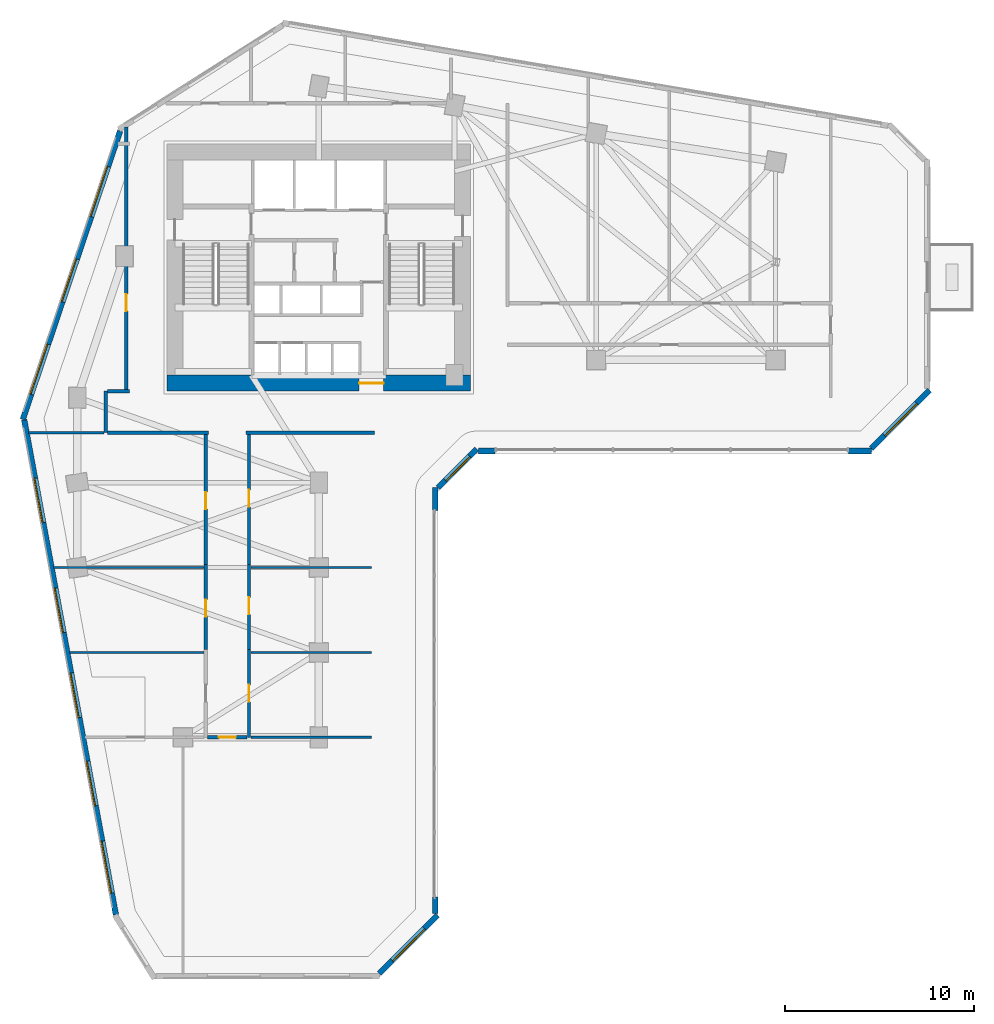
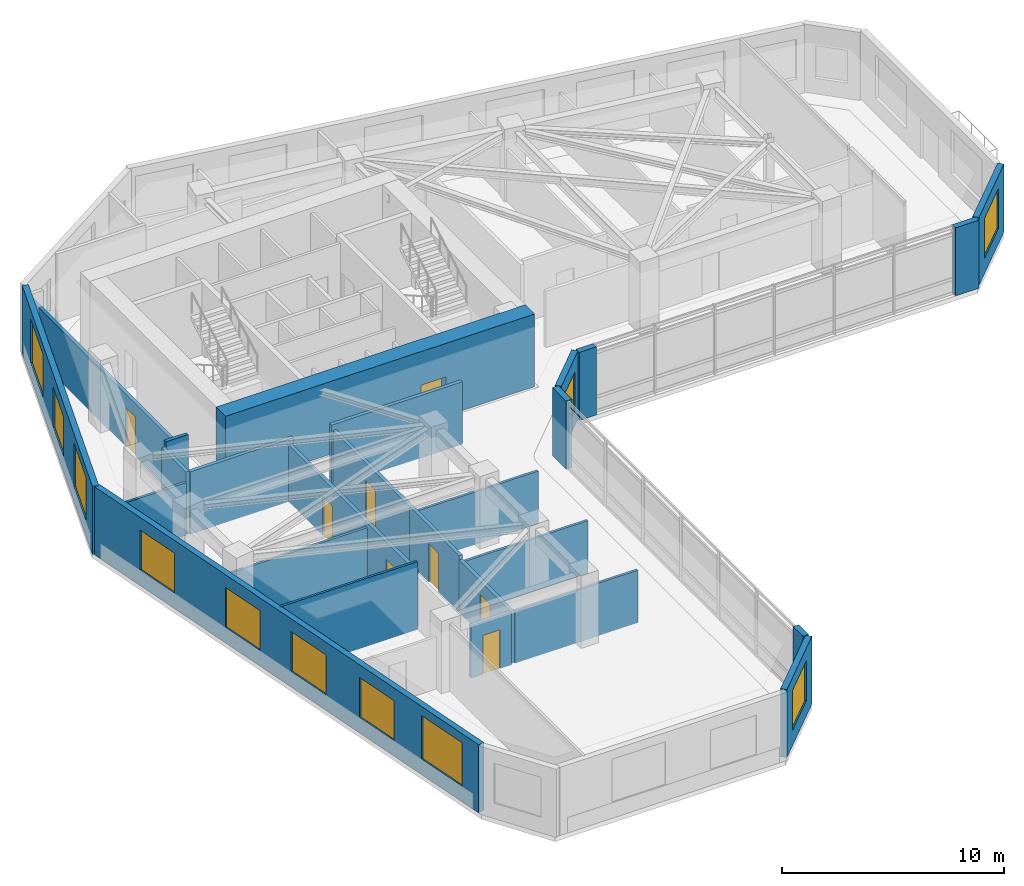
# One storey, part 5 of 11: 27 walls, 11 windows, 8 doors, 19 openings.
"""IFC4 building model written with IfcOpenShell, lengths in metres."""

from ifc_helpers import new_model, si_unit, direction, frame, frame_2d, origin, place, context, subcontext, project, spatial, rectangle, extrude, source, transform, mapped, material, layer, layer_set, type_object, element, fill, save


model = new_model("IFC4")

# Units and contexts
model_context = context("Model", 3, precision=1e-05, world=origin(), true_north=direction((0.0, 1.0)))
body_context = subcontext(model_context, "Body", "Model", "MODEL_VIEW")
ifc_project = project(units=[si_unit("LENGTHUNIT", "METRE"), si_unit("AREAUNIT", "SQUARE_METRE"), si_unit("VOLUMEUNIT", "CUBIC_METRE"), si_unit("PLANEANGLEUNIT", "RADIAN"), si_unit("MASSUNIT", "GRAM", prefix="KILO")], contexts=[model_context])

# Site, building, storey
site_placement = place(None, origin())
site = spatial("IfcSite", under=ifc_project, at=site_placement, CompositionType="ELEMENT")
building_placement = place(site_placement, origin())
building = spatial("IfcBuilding", under=site, at=building_placement, Name="Calvemar Wedge Station Tower", CompositionType="ELEMENT")
storey_placement = place(building_placement, frame((0.0, 0.0, 83.0)))
storey = spatial("IfcBuildingStorey", under=building, at=storey_placement, Name="L20", CompositionType="ELEMENT", Elevation=83.0)

# Wall, opening, door
ifc_material_1 = material(Name="Concrete C80", Category="concrete")
ifc_layer_1 = layer(ifc_material_1, 0.85009765625)
ifc_layer_set_1 = layer_set([ifc_layer_1], Name="Concrete C80")
wall_type_1 = type_object("IfcWallType", Name="SW-CORE-850", PredefinedType="SHEAR", material=ifc_layer_set_1)
wall_1_placement = place(storey_placement, frame((15.75, 33.77490234375, 0.0), z_axis=(0.0, 0.0, 1.0), x_axis=(1.0, 0.0, 0.0)))
wall_1 = element("IfcWall", 1, at=wall_1_placement, inside=storey, type_object=wall_type_1, Name="Storey L20 Core Shear Wall S", PredefinedType="SHEAR", context=body_context, shape_type="SweptSolid", body=[
    extrude(rectangle(XDim=16.10009765625, YDim=0.85009765625, at=frame_2d((8.050048828125, 0.0))), origin(), (0.0, 0.0, 1.0), 4.0),
])
shared_shape_1 = source(origin(), body_context, "Body", "SweptSolid", [
    extrude(rectangle(XDim=1.300048828125, YDim=2.14990234375, at=frame_2d((0.64990234375, 1.074951171875))), frame((0.0, 0.43505859375, 0.0), z_axis=(0.0, -1.0, 0.0), x_axis=(1.0, 0.0, 0.0)), (0.0, 0.0, 1.0), 0.8701171875),
])
opening_1_placement = place(wall_1_placement, frame((10.179931640625, 0.0, 0.0)))
opening_1 = element("IfcOpeningElement", 2, at=opening_1_placement, cuts=wall_1, Name="Opening DD-130", PredefinedType="OPENING", context=body_context, shape_type="MappedRepresentation", body=[
    mapped(shared_shape_1, transform((0.0, 0.0, 0.0), scale=1.0)),
])
ifc_material_2 = material(Name="Double-leaf lift lobby fire door EI 60")
door_type_1 = type_object("IfcDoorType", Name="DR-DBL-1300", OperationType="DOUBLE_DOOR_SINGLE_SWING", PredefinedType="DOOR", material=ifc_material_2)
shared_shape_2 = source(origin(), body_context, "Body", "SweptSolid", [
    extrude(rectangle(XDim=1.300048828125, YDim=2.14990234375, at=frame_2d((0.64990234375, 1.074951171875))), frame((0.0, 0.02490234375, 0.0), z_axis=(0.0, -1.0, 0.0), x_axis=(1.0, 0.0, 0.0)), (0.0, 0.0, 1.0), 0.050048828125),
])
door_1_placement = place(opening_1_placement, origin())
door_1 = element("IfcDoor", 3, at=door_1_placement, inside=storey, type_object=door_type_1, Name="L20 Passenger Lift Lobby Door", OperationType="DOUBLE_DOOR_SINGLE_SWING", OverallHeight=2.14990234375, OverallWidth=1.300048828125, PredefinedType="DOOR", context=body_context, shape_type="MappedRepresentation", body=[
    mapped(shared_shape_2, transform((0.0, 0.0, 0.0), scale=1.0)),
])
fill(opening_1, door_1)

# Walls
ifc_material_3 = material(Name="Double-stud fire-rated corridor partition")
ifc_layer_2 = layer(ifc_material_3, 0.179931640625)
ifc_layer_set_2 = layer_set([ifc_layer_2], Name="Double-stud fire-rated corridor partition")
wall_type_2 = type_object("IfcWallType", Name="W-CORR-180", PredefinedType="PARTITIONING", material=ifc_layer_set_2)
wall_2_placement = place(storey_placement, frame((12.5, 31.14990234375, 0.0), z_axis=(0.0, 0.0, 1.0), x_axis=(0.0, 1.0, 0.0)))
element("IfcWall", 4, at=wall_2_placement, inside=storey, type_object=wall_type_2, Name="Storey L20 Interior Partition WL-L20-006", PredefinedType="PARTITIONING", context=body_context, shape_type="SweptSolid", body=[
    extrude(rectangle(XDim=2.2001953125, YDim=0.179931640625, at=frame_2d((1.10009765625, 0.0))), origin(), (0.0, 0.0, 1.0), 3.43408203125),
])
wall_3_placement = place(storey_placement, frame((12.593994140625, 33.35009765625, 0.0), z_axis=(0.0, 0.0, 1.0), x_axis=(1.0, 0.0, 0.0)))
element("IfcWall", 5, at=wall_3_placement, inside=storey, type_object=wall_type_2, Name="Storey L20 Interior Partition WL-L20-007", PredefinedType="PARTITIONING", context=body_context, shape_type="SweptSolid", body=[
    extrude(rectangle(XDim=1.166015625, YDim=0.179931640625, at=frame_2d((0.5830078125, 0.0))), origin(), (0.0, 0.0, 1.0), 3.75),
])
wall_4_placement = place(storey_placement, frame((17.9599609375, 31.14990234375, 0.0), z_axis=(0.0, 0.0, 1.0), x_axis=(-1.0, 0.0, 0.0)))
element("IfcWall", 6, at=wall_4_placement, inside=storey, type_object=wall_type_2, Name="Storey L20 Interior Partition WL-L20-008", PredefinedType="PARTITIONING", context=body_context, shape_type="SweptSolid", body=[
    extrude(rectangle(XDim=5.365966796875, YDim=0.179931640625, at=frame_2d((2.68310546875, 0.0))), origin(), (0.0, 0.0, 1.0), 3.43408203125),
])
wall_5_placement = place(storey_placement, frame((26.760009765625, 31.14990234375, 0.0), z_axis=(0.0, 0.0, 1.0), x_axis=(-1.0, 0.0, 0.0)))
element("IfcWall", 7, at=wall_5_placement, inside=storey, type_object=wall_type_2, Name="Storey L20 Interior Partition WL-L20-009", PredefinedType="PARTITIONING", context=body_context, shape_type="SweptSolid", body=[
    extrude(rectangle(XDim=6.820068359375, YDim=0.179931640625, at=frame_2d((3.41015625, 0.0))), origin(), (0.0, 0.0, 1.0), 3.43408203125),
])

# Wall, opening, door
wall_6_placement = place(storey_placement, frame((13.60009765625, 33.444091796875, 0.0), z_axis=(0.0, 0.0, 1.0), x_axis=(0.0, 1.0, 0.0)))
wall_6 = element("IfcWall", 8, at=wall_6_placement, inside=storey, type_object=wall_type_2, Name="Storey L20 Interior Partition WL-L20-010", PredefinedType="PARTITIONING", context=body_context, shape_type="SweptSolid", body=[
    extrude(rectangle(XDim=13.896240234375, YDim=0.179931640625, at=frame_2d((6.9482421875, 0.0))), origin(), (0.0, 0.0, 1.0), 2.89208984375),
])
shared_shape_3 = source(origin(), body_context, "Body", "SweptSolid", [
    extrude(rectangle(XDim=0.89990234375, YDim=2.14990234375, at=frame_2d((0.449951171875, 1.074951171875))), frame((0.0, 0.10009765625, 0.0), z_axis=(0.0, -1.0, 0.0), x_axis=(1.0, 0.0, 0.0)), (0.0, 0.0, 1.0), 0.199951171875),
])
opening_2_placement = place(wall_6_placement, frame((4.143798828125, 0.0, 0.0)))
opening_2 = element("IfcOpeningElement", 9, at=opening_2_placement, cuts=wall_6, Name="Opening D-01", PredefinedType="OPENING", context=body_context, shape_type="MappedRepresentation", body=[
    mapped(shared_shape_3, transform((0.0, 0.0, 0.0), scale=1.0)),
])
ifc_material_4 = material(Name="Architectural hardwood acoustic swing door", Category="wood")
door_type_2 = type_object("IfcDoorType", Name="DR-INT-900", OperationType="NOTDEFINED", PredefinedType="DOOR", material=ifc_material_4)
shared_shape_4 = source(origin(), body_context, "Body", "SweptSolid", [
    extrude(rectangle(XDim=0.89990234375, YDim=2.14990234375, at=frame_2d((0.449951171875, 1.074951171875))), frame((0.0, 0.02490234375, 0.0), z_axis=(0.0, -1.0, 0.0), x_axis=(1.0, 0.0, 0.0)), (0.0, 0.0, 1.0), 0.050048828125),
])
door_2_placement = place(opening_2_placement, origin())
door_2 = element("IfcDoor", 10, at=door_2_placement, inside=storey, type_object=door_type_2, Name="L20 Co-Working Studio Door", OperationType="SINGLE_SWING_LEFT", OverallHeight=2.14990234375, OverallWidth=0.89990234375, PredefinedType="DOOR", context=body_context, shape_type="MappedRepresentation", body=[
    mapped(shared_shape_4, transform((0.0, 0.0, 0.0), scale=1.0)),
])
fill(opening_2, door_2)

wall_7_placement = place(storey_placement, frame((20.10009765625, 19.659912109375, 0.0), z_axis=(0.0, 0.0, 1.0), x_axis=(0.0, -1.0, 0.0)))
wall_7 = element("IfcWall", 11, at=wall_7_placement, inside=storey, type_object=wall_type_2, Name="Storey L20 Interior Partition WL-L20-032", PredefinedType="PARTITIONING", context=body_context, shape_type="SweptSolid", body=[
    extrude(rectangle(XDim=4.659912109375, YDim=0.179931640625, at=frame_2d((2.330078125, 0.0))), origin(), (0.0, 0.0, 1.0), 2.89208984375),
])
opening_3_placement = place(wall_7_placement, frame((1.8798828125, 0.0, 0.0)))
opening_3 = element("IfcOpeningElement", 12, at=opening_3_placement, cuts=wall_7, Name="Opening D-01", PredefinedType="OPENING", context=body_context, shape_type="MappedRepresentation", body=[
    mapped(shared_shape_3, transform((0.0, 0.0, 0.0), scale=1.0)),
])
door_3_placement = place(opening_3_placement, origin())
door_3 = element("IfcDoor", 13, at=door_3_placement, inside=storey, type_object=door_type_2, Name="L20 Office Door", OperationType="SINGLE_SWING_RIGHT", OverallHeight=2.14990234375, OverallWidth=0.89990234375, PredefinedType="DOOR", context=body_context, shape_type="MappedRepresentation", body=[
    mapped(shared_shape_4, transform((0.0, 0.0, 0.0), scale=1.0)),
])
fill(opening_3, door_3)

wall_8_placement = place(storey_placement, frame((17.800048828125, 19.662109375, 0.0), z_axis=(0.0, 0.0, 1.0), x_axis=(0.0, 1.0, 0.0)))
wall_8 = element("IfcWall", 14, at=wall_8_placement, inside=storey, type_object=wall_type_2, Name="Storey L20 Interior Partition WL-L20-033", PredefinedType="PARTITIONING", context=body_context, shape_type="SweptSolid", body=[
    extrude(rectangle(XDim=4.497802734375, YDim=0.179931640625, at=frame_2d((2.2490234375, 0.0))), origin(), (0.0, 0.0, 1.0), 3.125),
])
opening_4_placement = place(wall_8_placement, frame((1.73828125, 0.0, 0.0)))
opening_4 = element("IfcOpeningElement", 15, at=opening_4_placement, cuts=wall_8, Name="Opening D-01", PredefinedType="OPENING", context=body_context, shape_type="MappedRepresentation", body=[
    mapped(shared_shape_3, transform((0.0, 0.0, 0.0), scale=1.0)),
])
door_4_placement = place(opening_4_placement, origin())
door_4 = element("IfcDoor", 16, at=door_4_placement, inside=storey, type_object=door_type_2, Name="L20 Office Door", OperationType="SINGLE_SWING_LEFT", OverallHeight=2.14990234375, OverallWidth=0.89990234375, PredefinedType="DOOR", context=body_context, shape_type="MappedRepresentation", body=[
    mapped(shared_shape_4, transform((0.0, 0.0, 0.0), scale=1.0)),
])
fill(opening_4, door_4)

wall_9_placement = place(storey_placement, frame((20.10009765625, 24.159912109375, 0.0), z_axis=(0.0, 0.0, 1.0), x_axis=(0.0, -1.0, 0.0)))
wall_9 = element("IfcWall", 17, at=wall_9_placement, inside=storey, type_object=wall_type_2, Name="Storey L20 Interior Partition WL-L20-034", PredefinedType="PARTITIONING", context=body_context, shape_type="SweptSolid", body=[
    extrude(rectangle(XDim=4.497802734375, YDim=0.179931640625, at=frame_2d((2.2490234375, 0.0))), origin(), (0.0, 0.0, 1.0), 3.125),
])
opening_5_placement = place(wall_9_placement, frame((1.73828125, 0.0, 0.0)))
opening_5 = element("IfcOpeningElement", 18, at=opening_5_placement, cuts=wall_9, Name="Opening D-01", PredefinedType="OPENING", context=body_context, shape_type="MappedRepresentation", body=[
    mapped(shared_shape_3, transform((0.0, 0.0, 0.0), scale=1.0)),
])
door_5_placement = place(opening_5_placement, origin())
door_5 = element("IfcDoor", 19, at=door_5_placement, inside=storey, type_object=door_type_2, Name="L20 Office Door", OperationType="SINGLE_SWING_RIGHT", OverallHeight=2.14990234375, OverallWidth=0.89990234375, PredefinedType="DOOR", context=body_context, shape_type="MappedRepresentation", body=[
    mapped(shared_shape_4, transform((0.0, 0.0, 0.0), scale=1.0)),
])
fill(opening_5, door_5)

wall_10_placement = place(storey_placement, frame((17.800048828125, 24.162109375, 0.0), z_axis=(0.0, 0.0, 1.0), x_axis=(0.0, 1.0, 0.0)))
wall_10 = element("IfcWall", 20, at=wall_10_placement, inside=storey, type_object=wall_type_2, Name="Storey L20 Interior Partition WL-L20-035", PredefinedType="PARTITIONING", context=body_context, shape_type="SweptSolid", body=[
    extrude(rectangle(XDim=6.893798828125, YDim=0.179931640625, at=frame_2d((3.44677734375, 0.0))), origin(), (0.0, 0.0, 1.0), 3.125),
])
opening_6_placement = place(wall_10_placement, frame((2.9365234375, 0.0, 0.0)))
opening_6 = element("IfcOpeningElement", 21, at=opening_6_placement, cuts=wall_10, Name="Opening D-01", PredefinedType="OPENING", context=body_context, shape_type="MappedRepresentation", body=[
    mapped(shared_shape_3, transform((0.0, 0.0, 0.0), scale=1.0)),
])
door_6_placement = place(opening_6_placement, origin())
door_6 = element("IfcDoor", 22, at=door_6_placement, inside=storey, type_object=door_type_2, Name="L20 Co-Working Studio Door", OperationType="SINGLE_SWING_LEFT", OverallHeight=2.14990234375, OverallWidth=0.89990234375, PredefinedType="DOOR", context=body_context, shape_type="MappedRepresentation", body=[
    mapped(shared_shape_4, transform((0.0, 0.0, 0.0), scale=1.0)),
])
fill(opening_6, door_6)

wall_11_placement = place(storey_placement, frame((20.10009765625, 31.055908203125, 0.0), z_axis=(0.0, 0.0, 1.0), x_axis=(0.0, -1.0, 0.0)))
wall_11 = element("IfcWall", 23, at=wall_11_placement, inside=storey, type_object=wall_type_2, Name="Storey L20 Interior Partition WL-L20-036", PredefinedType="PARTITIONING", context=body_context, shape_type="SweptSolid", body=[
    extrude(rectangle(XDim=6.893798828125, YDim=0.179931640625, at=frame_2d((3.44677734375, 0.0))), origin(), (0.0, 0.0, 1.0), 3.125),
])
opening_7_placement = place(wall_11_placement, frame((2.9365234375, 0.0, 0.0)))
opening_7 = element("IfcOpeningElement", 24, at=opening_7_placement, cuts=wall_11, Name="Opening D-01", PredefinedType="OPENING", context=body_context, shape_type="MappedRepresentation", body=[
    mapped(shared_shape_3, transform((0.0, 0.0, 0.0), scale=1.0)),
])
door_7_placement = place(opening_7_placement, origin())
door_7 = element("IfcDoor", 25, at=door_7_placement, inside=storey, type_object=door_type_2, Name="L20 Meeting Room Door", OperationType="SINGLE_SWING_RIGHT", OverallHeight=2.14990234375, OverallWidth=0.89990234375, PredefinedType="DOOR", context=body_context, shape_type="MappedRepresentation", body=[
    mapped(shared_shape_4, transform((0.0, 0.0, 0.0), scale=1.0)),
])
fill(opening_7, door_7)

wall_12_placement = place(storey_placement, frame((20.006103515625, 15.0, 0.0), z_axis=(0.0, 0.0, 1.0), x_axis=(-1.0, 0.0, 0.0)))
wall_12 = element("IfcWall", 26, at=wall_12_placement, inside=storey, type_object=wall_type_2, Name="Storey L20 Interior Partition WL-L20-037", PredefinedType="PARTITIONING", context=body_context, shape_type="SweptSolid", body=[
    extrude(rectangle(XDim=2.112060546875, YDim=0.179931640625, at=frame_2d((1.05615234375, 0.0))), origin(), (0.0, 0.0, 1.0), 2.89208984375),
])
opening_8_placement = place(wall_12_placement, frame((0.60595703125, 0.0, 0.0)))
opening_8 = element("IfcOpeningElement", 27, at=opening_8_placement, cuts=wall_12, Name="Opening D-01", PredefinedType="OPENING", context=body_context, shape_type="MappedRepresentation", body=[
    mapped(shared_shape_3, transform((0.0, 0.0, 0.0), scale=1.0)),
])
door_8_placement = place(opening_8_placement, origin())
door_8 = element("IfcDoor", 28, at=door_8_placement, inside=storey, type_object=door_type_2, Name="L20 Meeting Room Door", OperationType="SINGLE_SWING_RIGHT", OverallHeight=2.14990234375, OverallWidth=0.89990234375, PredefinedType="DOOR", context=body_context, shape_type="MappedRepresentation", body=[
    mapped(shared_shape_4, transform((0.0, 0.0, 0.0), scale=1.0)),
])
fill(opening_8, door_8)

# Wall, opening, window
ifc_material_5 = material(Name="Precast concrete C45", Category="concrete")
ifc_layer_3 = layer(ifc_material_5, 0.300048828125)
ifc_layer_set_3 = layer_set([ifc_layer_3], Name="Precast concrete C45")
wall_type_3 = type_object("IfcWallType", Name="W-EXT-GFRC-300", PredefinedType="SOLIDWALL", material=ifc_layer_set_3)
wall_13_placement = place(storey_placement, frame((27.00390625, 2.488037109375, 0.0), z_axis=(0.0, 0.0, 1.0), x_axis=(0.707106781187, 0.707106781187, 0.0)))
wall_13 = element("IfcWall", 29, at=wall_13_placement, inside=storey, type_object=wall_type_3, Name="Storey L20 Bronze GFRC Exterior Wall 3", PredefinedType="SOLIDWALL", context=body_context, shape_type="SweptSolid", body=[
    extrude(rectangle(XDim=4.35595703125, YDim=0.300048828125, at=frame_2d((2.177978515625, 0.0))), origin(), (0.0, 0.0, 1.0), 3.75),
])
shared_shape_5 = source(origin(), body_context, "Body", "SweptSolid", [
    extrude(rectangle(XDim=2.39990234375, YDim=2.199951171875, at=frame_2d((1.199951171875, 1.10009765625))), frame((0.0, 0.16015625, 0.0), z_axis=(0.0, -1.0, 0.0), x_axis=(1.0, 0.0, 0.0)), (0.0, 0.0, 1.0), 0.320068359375),
])
opening_9_placement = place(wall_13_placement, frame((0.97802734375, 0.0, 0.85009765625)))
opening_9 = element("IfcOpeningElement", 30, at=opening_9_placement, cuts=wall_13, Name="Opening W1", PredefinedType="OPENING", context=body_context, shape_type="MappedRepresentation", body=[
    mapped(shared_shape_5, transform((0.0, 0.0, 0.0), scale=1.0)),
])
ifc_material_6 = material(Name="Low-E laminated insulated glass", Category="glass")
window_type_1 = type_object("IfcWindowType", Name="WIN-EXT-1", PartitioningType="SINGLE_PANEL", PredefinedType="WINDOW", material=ifc_material_6)
shared_shape_6 = source(origin(), body_context, "Body", "SweptSolid", [
    extrude(rectangle(XDim=2.39990234375, YDim=2.199951171875, at=frame_2d((1.199951171875, 1.10009765625))), frame((0.0, -0.014892578125, 0.0), z_axis=(0.0, -1.0, 0.0), x_axis=(1.0, 0.0, 0.0)), (0.0, 0.0, 1.0), 0.06005859375),
])
window_1_placement = place(opening_9_placement, origin())
window_1 = element("IfcWindow", 31, at=window_1_placement, inside=storey, type_object=window_type_1, Name="Storey L20 Recessed Window 3.1", OverallHeight=2.199951171875, OverallWidth=2.39990234375, PartitioningType="SINGLE_PANEL", PredefinedType="WINDOW", context=body_context, shape_type="MappedRepresentation", body=[
    mapped(shared_shape_6, transform((0.0, 0.0, 0.0), scale=1.0)),
])
fill(opening_9, window_1)

# Walls
wall_14_placement = place(storey_placement, frame((29.97802734375, 5.6572265625, 0.0), z_axis=(0.0, 0.0, 1.0), x_axis=(0.0, 1.0, 0.0)))
element("IfcWall", 32, at=wall_14_placement, inside=storey, type_object=wall_type_3, Name="Storey L20 Bronze GFRC Corner Pier 4A", PredefinedType="SOLIDWALL", context=body_context, shape_type="SweptSolid", body=[
    extrude(rectangle(XDim=0.8798828125, YDim=0.300048828125, at=frame_2d((0.43994140625, 0.0))), origin(), (0.0, 0.0, 1.0), 3.75),
])
wall_15_placement = place(storey_placement, frame((29.97802734375, 27.01513671875, 0.0), z_axis=(0.0, 0.0, 1.0), x_axis=(0.0, 1.0, 0.0)))
element("IfcWall", 33, at=wall_15_placement, inside=storey, type_object=wall_type_3, Name="Storey L20 Bronze GFRC Corner Pier 4B", PredefinedType="SOLIDWALL", context=body_context, shape_type="SweptSolid", body=[
    extrude(rectangle(XDim=1.224853515625, YDim=0.300048828125, at=frame_2d((0.6123046875, 0.0))), origin(), (0.0, 0.0, 1.0), 3.75),
])

# Wall, opening, window
wall_16_placement = place(storey_placement, frame((30.115966796875, 28.22802734375, 0.0), z_axis=(0.0, 0.0, 1.0), x_axis=(0.707064797706, 0.707148762175, 0.0)))
wall_16 = element("IfcWall", 34, at=wall_16_placement, inside=storey, type_object=wall_type_3, Name="Storey L20 Bronze GFRC Exterior Wall 5", PredefinedType="SOLIDWALL", context=body_context, shape_type="SweptSolid", body=[
    extrude(rectangle(XDim=2.90771484375, YDim=0.300048828125, at=frame_2d((1.453857421875, 0.0))), origin(), (0.0, 0.0, 1.0), 3.75),
])
shared_shape_7 = source(origin(), body_context, "Body", "SweptSolid", [
    extrude(rectangle(XDim=1.800048828125, YDim=2.10009765625, at=frame_2d((0.89990234375, 1.050048828125))), frame((0.0, 0.16015625, 0.0), z_axis=(0.0, -1.0, 0.0), x_axis=(1.0, 0.0, 0.0)), (0.0, 0.0, 1.0), 0.320068359375),
])
opening_10_placement = place(wall_16_placement, frame((0.553955078125, 0.0, 0.85009765625)))
opening_10 = element("IfcOpeningElement", 35, at=opening_10_placement, cuts=wall_16, Name="Opening W2", PredefinedType="OPENING", context=body_context, shape_type="MappedRepresentation", body=[
    mapped(shared_shape_7, transform((0.0, 0.0, 0.0), scale=1.0)),
])
window_type_2 = type_object("IfcWindowType", Name="WIN-EXT-2", PartitioningType="SINGLE_PANEL", PredefinedType="WINDOW", material=ifc_material_6)
shared_shape_8 = source(origin(), body_context, "Body", "SweptSolid", [
    extrude(rectangle(XDim=1.800048828125, YDim=2.10009765625, at=frame_2d((0.89990234375, 1.050048828125))), frame((0.0, -0.014892578125, 0.0), z_axis=(0.0, -1.0, 0.0), x_axis=(1.0, 0.0, 0.0)), (0.0, 0.0, 1.0), 0.06005859375),
])
window_2_placement = place(opening_10_placement, origin())
window_2 = element("IfcWindow", 36, at=window_2_placement, inside=storey, type_object=window_type_2, Name="Storey L20 Recessed Window 5.1", OverallHeight=2.10009765625, OverallWidth=1.800048828125, PartitioningType="SINGLE_PANEL", PredefinedType="WINDOW", context=body_context, shape_type="MappedRepresentation", body=[
    mapped(shared_shape_8, transform((0.0, 0.0, 0.0), scale=1.0)),
])
fill(opening_10, window_2)

# Walls
wall_17_placement = place(storey_placement, frame((32.260986328125, 30.177978515625, 0.0), z_axis=(0.0, 0.0, 1.0), x_axis=(1.0, 0.0, 0.0)))
element("IfcWall", 37, at=wall_17_placement, inside=storey, type_object=wall_type_3, Name="Storey L20 Bronze GFRC Corner Pier 6A", PredefinedType="SOLIDWALL", context=body_context, shape_type="SweptSolid", body=[
    extrude(rectangle(XDim=0.8798828125, YDim=0.300048828125, at=frame_2d((0.43994140625, 0.0))), origin(), (0.0, 0.0, 1.0), 3.75),
])
wall_18_placement = place(storey_placement, frame((51.86279296875, 30.177978515625, 0.0), z_axis=(0.0, 0.0, 1.0), x_axis=(1.0, 0.0, 0.0)))
element("IfcWall", 38, at=wall_18_placement, inside=storey, type_object=wall_type_3, Name="Storey L20 Bronze GFRC Corner Pier 6B", PredefinedType="SOLIDWALL", context=body_context, shape_type="SweptSolid", body=[
    extrude(rectangle(XDim=1.22509765625, YDim=0.300048828125, at=frame_2d((0.612548828125, 0.0))), origin(), (0.0, 0.0, 1.0), 3.75),
])

# Wall, opening, window
wall_19_placement = place(storey_placement, frame((53.075927734375, 30.31591796875, 0.0), z_axis=(0.0, 0.0, 1.0), x_axis=(0.707078757535, 0.707134803727, 0.0)))
wall_19 = element("IfcWall", 39, at=wall_19_placement, inside=storey, type_object=wall_type_3, Name="Storey L20 Bronze GFRC Exterior Wall 7", PredefinedType="SOLIDWALL", context=body_context, shape_type="SweptSolid", body=[
    extrude(rectangle(XDim=4.35595703125, YDim=0.300048828125, at=frame_2d((2.177978515625, 0.0))), origin(), (0.0, 0.0, 1.0), 3.75),
])
opening_11_placement = place(wall_19_placement, frame((0.97802734375, 0.0, 0.85009765625)))
opening_11 = element("IfcOpeningElement", 40, at=opening_11_placement, cuts=wall_19, Name="Opening W1", PredefinedType="OPENING", context=body_context, shape_type="MappedRepresentation", body=[
    mapped(shared_shape_5, transform((0.0, 0.0, 0.0), scale=1.0)),
])
window_3_placement = place(opening_11_placement, origin())
window_3 = element("IfcWindow", 41, at=window_3_placement, inside=storey, type_object=window_type_1, Name="Storey L20 Recessed Window 7.1", OverallHeight=2.199951171875, OverallWidth=2.39990234375, PartitioningType="SINGLE_PANEL", PredefinedType="WINDOW", context=body_context, shape_type="MappedRepresentation", body=[
    mapped(shared_shape_6, transform((0.0, 0.0, 0.0), scale=1.0)),
])
fill(opening_11, window_3)

# Wall, openings, windows
wall_20_placement = place(storey_placement, frame((13.2685546875, 47.1337890625, 0.0), z_axis=(0.0, 0.0, 1.0), x_axis=(-0.319920423265, -0.947444416722, 0.0)))
wall_20 = element("IfcWall", 42, at=wall_20_placement, inside=storey, type_object=wall_type_3, Name="Storey L20 Bronze GFRC Exterior Wall 12", PredefinedType="SOLIDWALL", context=body_context, shape_type="SweptSolid", body=[
    extrude(rectangle(XDim=16.134765625, YDim=0.300048828125, at=frame_2d((8.0673828125, 0.0))), origin(), (0.0, 0.0, 1.0), 3.75),
])
shared_shape_9 = source(origin(), body_context, "Body", "SweptSolid", [
    extrude(rectangle(XDim=2.800048828125, YDim=2.39990234375, at=frame_2d((1.39990234375, 1.199951171875))), frame((0.0, 0.16015625, 0.0), z_axis=(0.0, -1.0, 0.0), x_axis=(1.0, 0.0, 0.0)), (0.0, 0.0, 1.0), 0.320068359375),
])
opening_12_placement = place(wall_20_placement, frame((1.988037109375, 0.0, 0.85009765625)))
opening_12 = element("IfcOpeningElement", 43, at=opening_12_placement, cuts=wall_20, Name="Opening W6", PredefinedType="OPENING", context=body_context, shape_type="MappedRepresentation", body=[
    mapped(shared_shape_9, transform((0.0, 0.0, 0.0), scale=1.0)),
])
opening_13_placement = place(wall_20_placement, frame((7.158935546875, 0.0, 0.85009765625)))
opening_13 = element("IfcOpeningElement", 44, at=opening_13_placement, cuts=wall_20, Name="Opening W1", PredefinedType="OPENING", context=body_context, shape_type="MappedRepresentation", body=[
    mapped(shared_shape_5, transform((0.0, 0.0, 0.0), scale=1.0)),
])
opening_14_placement = place(wall_20_placement, frame((11.929931640625, 0.0, 0.85009765625)))
opening_14 = element("IfcOpeningElement", 45, at=opening_14_placement, cuts=wall_20, Name="Opening W6", PredefinedType="OPENING", context=body_context, shape_type="MappedRepresentation", body=[
    mapped(shared_shape_9, transform((0.0, 0.0, 0.0), scale=1.0)),
])
window_type_3 = type_object("IfcWindowType", Name="WIN-EXT-6", PartitioningType="SINGLE_PANEL", PredefinedType="WINDOW", material=ifc_material_6)
shared_shape_10 = source(origin(), body_context, "Body", "SweptSolid", [
    extrude(rectangle(XDim=2.800048828125, YDim=2.39990234375, at=frame_2d((1.39990234375, 1.199951171875))), frame((0.0, -0.014892578125, 0.0), z_axis=(0.0, -1.0, 0.0), x_axis=(1.0, 0.0, 0.0)), (0.0, 0.0, 1.0), 0.06005859375),
])
window_4_placement = place(opening_12_placement, origin())
window_4 = element("IfcWindow", 46, at=window_4_placement, inside=storey, type_object=window_type_3, Name="Storey L20 Recessed Window 12.1", OverallHeight=2.39990234375, OverallWidth=2.800048828125, PartitioningType="SINGLE_PANEL", PredefinedType="WINDOW", context=body_context, shape_type="MappedRepresentation", body=[
    mapped(shared_shape_10, transform((0.0, 0.0, 0.0), scale=1.0)),
])
fill(opening_12, window_4)
window_5_placement = place(opening_14_placement, origin())
window_5 = element("IfcWindow", 47, at=window_5_placement, inside=storey, type_object=window_type_3, Name="Storey L20 Recessed Window 12.3", OverallHeight=2.39990234375, OverallWidth=2.800048828125, PartitioningType="SINGLE_PANEL", PredefinedType="WINDOW", context=body_context, shape_type="MappedRepresentation", body=[
    mapped(shared_shape_10, transform((0.0, 0.0, 0.0), scale=1.0)),
])
fill(opening_14, window_5)
window_6_placement = place(opening_13_placement, origin())
window_6 = element("IfcWindow", 48, at=window_6_placement, inside=storey, type_object=window_type_1, Name="Storey L20 Recessed Window 12.2", OverallHeight=2.199951171875, OverallWidth=2.39990234375, PartitioningType="SINGLE_PANEL", PredefinedType="WINDOW", context=body_context, shape_type="MappedRepresentation", body=[
    mapped(shared_shape_6, transform((0.0, 0.0, 0.0), scale=1.0)),
])
fill(opening_13, window_6)

wall_21_placement = place(storey_placement, frame((8.183349609375, 31.83349609375, 0.0), z_axis=(0.0, 0.0, 1.0), x_axis=(0.18216364648, -0.983268226834, 0.0)))
wall_21 = element("IfcWall", 49, at=wall_21_placement, inside=storey, type_object=wall_type_3, Name="Storey L20 Bronze GFRC Exterior Wall 13", PredefinedType="SOLIDWALL", context=body_context, shape_type="SweptSolid", body=[
    extrude(rectangle(XDim=26.678466796875, YDim=0.300048828125, at=frame_2d((13.33935546875, 0.0))), origin(), (0.0, 0.0, 1.0), 3.75),
])
opening_15_placement = place(wall_21_placement, frame((3.152099609375, 0.0, 0.85009765625)))
opening_15 = element("IfcOpeningElement", 50, at=opening_15_placement, cuts=wall_21, Name="Opening W1", PredefinedType="OPENING", context=body_context, shape_type="MappedRepresentation", body=[
    mapped(shared_shape_5, transform((0.0, 0.0, 0.0), scale=1.0)),
])
opening_16_placement = place(wall_21_placement, frame((9.075927734375, 0.0, 0.85009765625)))
opening_16 = element("IfcOpeningElement", 51, at=opening_16_placement, cuts=wall_21, Name="Opening W1", PredefinedType="OPENING", context=body_context, shape_type="MappedRepresentation", body=[
    mapped(shared_shape_5, transform((0.0, 0.0, 0.0), scale=1.0)),
])
opening_17_placement = place(wall_21_placement, frame((13.653076171875, 0.0, 0.85009765625)))
opening_17 = element("IfcOpeningElement", 52, at=opening_17_placement, cuts=wall_21, Name="Opening W1", PredefinedType="OPENING", context=body_context, shape_type="MappedRepresentation", body=[
    mapped(shared_shape_5, transform((0.0, 0.0, 0.0), scale=1.0)),
])
opening_18_placement = place(wall_21_placement, frame((18.410888671875, 0.0, 0.85009765625)))
opening_18 = element("IfcOpeningElement", 53, at=opening_18_placement, cuts=wall_21, Name="Opening W1", PredefinedType="OPENING", context=body_context, shape_type="MappedRepresentation", body=[
    mapped(shared_shape_5, transform((0.0, 0.0, 0.0), scale=1.0)),
])
opening_19_placement = place(wall_21_placement, frame((22.708984375, 0.0, 0.85009765625)))
opening_19 = element("IfcOpeningElement", 54, at=opening_19_placement, cuts=wall_21, Name="Opening W6", PredefinedType="OPENING", context=body_context, shape_type="MappedRepresentation", body=[
    mapped(shared_shape_9, transform((0.0, 0.0, 0.0), scale=1.0)),
])
window_7_placement = place(opening_19_placement, origin())
window_7 = element("IfcWindow", 55, at=window_7_placement, inside=storey, type_object=window_type_3, Name="Storey L20 Recessed Window 13.5", OverallHeight=2.39990234375, OverallWidth=2.800048828125, PartitioningType="SINGLE_PANEL", PredefinedType="WINDOW", context=body_context, shape_type="MappedRepresentation", body=[
    mapped(shared_shape_10, transform((0.0, 0.0, 0.0), scale=1.0)),
])
fill(opening_19, window_7)
window_8_placement = place(opening_15_placement, origin())
window_8 = element("IfcWindow", 56, at=window_8_placement, inside=storey, type_object=window_type_1, Name="Storey L20 Recessed Window 13.1", OverallHeight=2.199951171875, OverallWidth=2.39990234375, PartitioningType="SINGLE_PANEL", PredefinedType="WINDOW", context=body_context, shape_type="MappedRepresentation", body=[
    mapped(shared_shape_6, transform((0.0, 0.0, 0.0), scale=1.0)),
])
fill(opening_15, window_8)
window_9_placement = place(opening_16_placement, origin())
window_9 = element("IfcWindow", 57, at=window_9_placement, inside=storey, type_object=window_type_1, Name="Storey L20 Recessed Window 13.2", OverallHeight=2.199951171875, OverallWidth=2.39990234375, PartitioningType="SINGLE_PANEL", PredefinedType="WINDOW", context=body_context, shape_type="MappedRepresentation", body=[
    mapped(shared_shape_6, transform((0.0, 0.0, 0.0), scale=1.0)),
])
fill(opening_16, window_9)
window_10_placement = place(opening_17_placement, origin())
window_10 = element("IfcWindow", 58, at=window_10_placement, inside=storey, type_object=window_type_1, Name="Storey L20 Recessed Window 13.3", OverallHeight=2.199951171875, OverallWidth=2.39990234375, PartitioningType="SINGLE_PANEL", PredefinedType="WINDOW", context=body_context, shape_type="MappedRepresentation", body=[
    mapped(shared_shape_6, transform((0.0, 0.0, 0.0), scale=1.0)),
])
fill(opening_17, window_10)
window_11_placement = place(opening_18_placement, origin())
window_11 = element("IfcWindow", 59, at=window_11_placement, inside=storey, type_object=window_type_1, Name="Storey L20 Recessed Window 13.4", OverallHeight=2.199951171875, OverallWidth=2.39990234375, PartitioningType="SINGLE_PANEL", PredefinedType="WINDOW", context=body_context, shape_type="MappedRepresentation", body=[
    mapped(shared_shape_6, transform((0.0, 0.0, 0.0), scale=1.0)),
])
fill(opening_18, window_11)

# Walls
ifc_material_7 = material(Name="Insulated acoustic gypsum stud partition")
ifc_layer_4 = layer(ifc_material_7, 0.125)
ifc_layer_set_4 = layer_set([ifc_layer_4], Name="Insulated acoustic gypsum stud partition")
wall_type_4 = type_object("IfcWallType", Name="W-PART-125", PredefinedType="PARTITIONING", material=ifc_layer_set_4)
wall_22_placement = place(storey_placement, frame((12.406005859375, 31.14990234375, 0.0), z_axis=(0.0, 0.0, 1.0), x_axis=(-1.0, 0.0, 0.0)))
element("IfcWall", 60, at=wall_22_placement, inside=storey, type_object=wall_type_4, Name="Storey L20 Interior Partition WL-L20-017", PredefinedType="PARTITIONING", context=body_context, shape_type="SweptSolid", body=[
    extrude(rectangle(XDim=3.97900390625, YDim=0.125, at=frame_2d((1.989501953125, 0.0))), origin(), (0.0, 0.0, 1.0), 2.89208984375),
])
wall_23_placement = place(storey_placement, frame((10.585205078125, 19.5, 0.0), z_axis=(0.0, 0.0, 1.0), x_axis=(1.0, 0.0, 0.0)))
element("IfcWall", 61, at=wall_23_placement, inside=storey, type_object=wall_type_4, Name="Storey L20 Interior Partition WL-L20-038", PredefinedType="PARTITIONING", context=body_context, shape_type="SweptSolid", body=[
    extrude(rectangle(XDim=7.120849609375, YDim=0.125, at=frame_2d((3.560546875, 0.0))), origin(), (0.0, 0.0, 1.0), 3.75),
])
for number, where, z_axis, x_axis, name in (
    (62, (20.194091796875, 19.5, 0.0), (0.0, 0.0, 1.0), (1.0, 0.0, 0.0), "Storey L20 Interior Partition WL-L20-041"),
    (63, (26.60009765625, 15.0, 0.0), (0.0, 0.0, 1.0), (-1.0, 0.0, 0.0), "Storey L20 Interior Partition WL-L20-042"),
):
    element("IfcWall", number, at=place(storey_placement, frame(where, z_axis=z_axis, x_axis=x_axis)), inside=storey, type_object=wall_type_4, Name=name, PredefinedType="PARTITIONING", context=body_context, shape_type="SweptSolid", body=[
        extrude(rectangle(XDim=6.406005859375, YDim=0.125, at=frame_2d((3.203125, 0.0))), origin(), (0.0, 0.0, 1.0), 2.89208984375),
    ])
wall_24_placement = place(storey_placement, frame((9.751708984375, 24.0, 0.0), z_axis=(0.0, 0.0, 1.0), x_axis=(1.0, 0.0, 0.0)))
element("IfcWall", 64, at=wall_24_placement, inside=storey, type_object=wall_type_4, Name="Storey L20 Interior Partition WL-L20-043", PredefinedType="PARTITIONING", context=body_context, shape_type="SweptSolid", body=[
    extrude(rectangle(XDim=7.954345703125, YDim=0.125, at=frame_2d((3.97705078125, 0.0))), origin(), (0.0, 0.0, 1.0), 2.89208984375),
])
wall_25_placement = place(storey_placement, frame((20.194091796875, 24.0, 0.0), z_axis=(0.0, 0.0, 1.0), x_axis=(1.0, 0.0, 0.0)))
element("IfcWall", 65, at=wall_25_placement, inside=storey, type_object=wall_type_4, Name="Storey L20 Interior Partition WL-L20-044", PredefinedType="PARTITIONING", context=body_context, shape_type="SweptSolid", body=[
    extrude(rectangle(XDim=6.406005859375, YDim=0.125, at=frame_2d((3.203125, 0.0))), origin(), (0.0, 0.0, 1.0), 2.89208984375),
])

save(model, "model.ifc")
